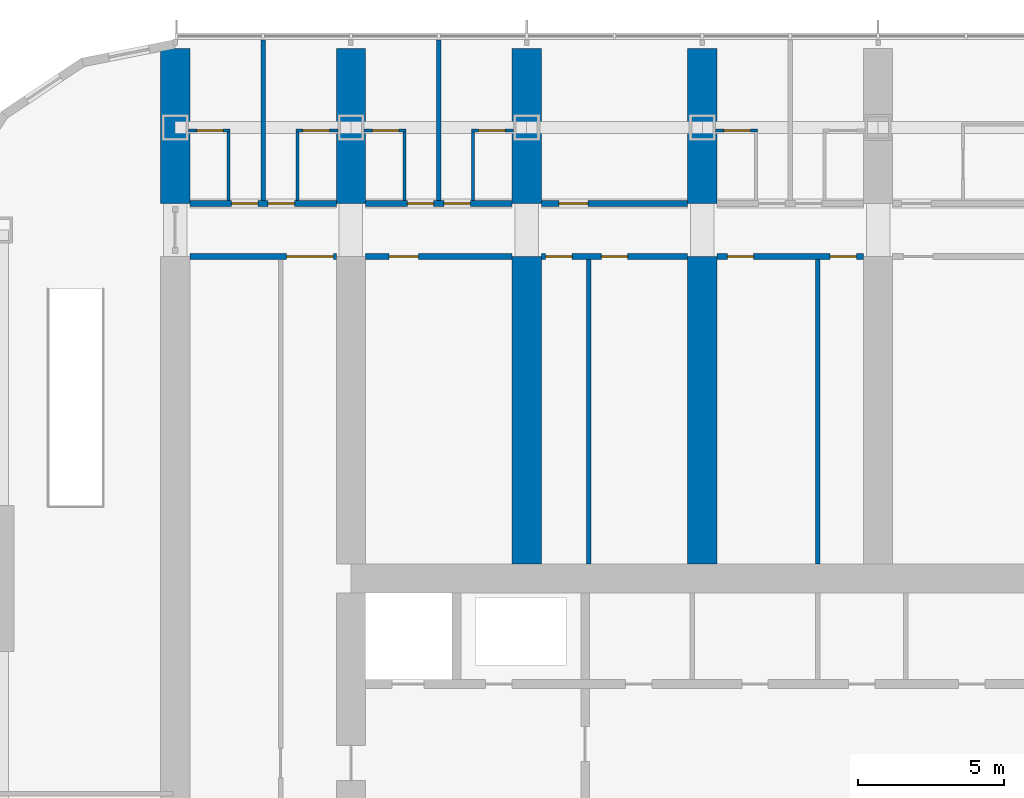
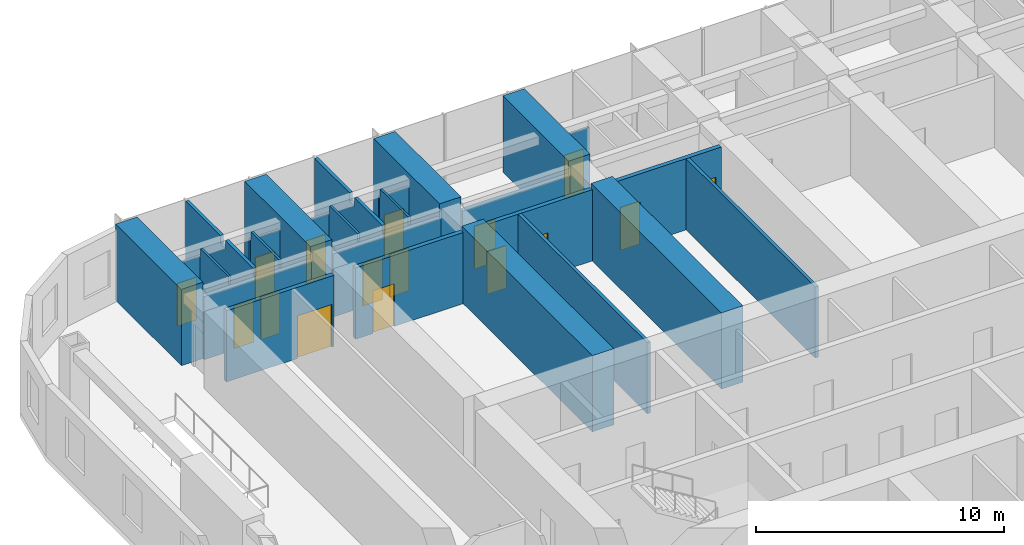
# One storey, part 15 of 24: 26 walls, 16 doors, 16 openings.
"""IFC4 building model written with IfcOpenShell, lengths in metres."""

from ifc_helpers import new_model, si_unit, direction, frame, frame_2d, origin, place, context, subcontext, project, spatial, polyline, rectangle, outline, extrude, material, layer, layer_set, type_object, element, fill, save


model = new_model("IFC4")

# Units and contexts
model_context = context("Model", 3, precision=1e-05, world=origin(), true_north=direction((0.0, 1.0)))
body_context = subcontext(model_context, "Body", "Model", "MODEL_VIEW")
ifc_project = project(units=[si_unit("LENGTHUNIT", "METRE"), si_unit("AREAUNIT", "SQUARE_METRE"), si_unit("VOLUMEUNIT", "CUBIC_METRE"), si_unit("PLANEANGLEUNIT", "RADIAN"), si_unit("MASSUNIT", "GRAM", prefix="KILO")], contexts=[model_context])

# Site, building, storey
site_placement = place(None, origin())
site = spatial("IfcSite", under=ifc_project, at=site_placement, CompositionType="ELEMENT")
building_placement = place(site_placement, origin())
building = spatial("IfcBuilding", under=site, at=building_placement, Name="Orbita Commons", CompositionType="ELEMENT")
storey_placement = place(building_placement, frame((0.0, 0.0, 27.699951171875)))
storey = spatial("IfcBuildingStorey", under=building, at=storey_placement, Name="L06", CompositionType="ELEMENT", Elevation=27.699951171875)

# Wall, openings, doors
ifc_material_1 = material(Name="Concrete blockwork", Category="masonry")
ifc_layer_1 = layer(ifc_material_1, 0.199951171875)
ifc_layer_set_1 = layer_set([ifc_layer_1], Name="Concrete blockwork")
wall_type_1 = type_object("IfcWallType", Name="Corridor wall 200 blockwork", PredefinedType="SOLIDWALL", material=ifc_layer_set_1)
wall_1_placement = place(storey_placement, frame((12.5, 51.0, 0.0), z_axis=(0.0, 0.0, 1.0), x_axis=(1.0, 0.0, 0.0)))
wall_1 = element("IfcWall", 1, at=wall_1_placement, inside=storey, type_object=wall_type_1, Name="Corridor wall 200 blockwork L06", PredefinedType="SOLIDWALL", context=body_context, shape_type="SweptSolid", body=[
    extrude(outline(polyline([(0.0, 0.0), (5.0, 0.0), (5.0, 3.10009765625), (0.0, 3.10009765625), (0.0, 0.0)])), frame((0.0, 0.10009765625, 0.0), z_axis=(0.0, -1.0, 0.0), x_axis=(1.0, 0.0, 0.0)), (0.0, 0.0, 1.0), 0.199951171875),
])
opening_1_placement = place(wall_1_placement, frame((1.425048828125, 0.0, 0.0)))
opening_1 = element("IfcOpeningElement", 2, at=opening_1_placement, cuts=wall_1, Name="Opening D11", PredefinedType="OPENING", context=body_context, shape_type="SweptSolid", body=[
    extrude(rectangle(XDim=0.89990234375, YDim=2.10009765625, at=frame_2d((0.449951171875, 1.050048828125))), frame((0.0, 0.10986328125, 0.0), z_axis=(0.0, -1.0, 0.0), x_axis=(1.0, 0.0, 0.0)), (0.0, 0.0, 1.0), 0.219970703125),
])
opening_2_placement = place(wall_1_placement, frame((2.675048828125, 0.0, 0.0)))
opening_2 = element("IfcOpeningElement", 3, at=opening_2_placement, cuts=wall_1, Name="Opening D11", PredefinedType="OPENING", context=body_context, shape_type="SweptSolid", body=[
    extrude(rectangle(XDim=0.89990234375, YDim=2.10009765625, at=frame_2d((0.449951171875, 1.050048828125))), frame((0.0, 0.10986328125, 0.0), z_axis=(0.0, -1.0, 0.0), x_axis=(1.0, 0.0, 0.0)), (0.0, 0.0, 1.0), 0.219970703125),
])
ifc_material_2 = material(Name="Steel-faced fire door leaf", Category="steel")
door_type_1 = type_object("IfcDoorType", Name="Corridor door 20 min 900x2100", OperationType="SINGLE_SWING_LEFT", PredefinedType="DOOR", material=ifc_material_2)
door_1_placement = place(opening_1_placement, origin())
door_1 = element("IfcDoor", 4, at=door_1_placement, inside=storey, type_object=door_type_1, Name="House bedroom L06-N00 door", OperationType="SINGLE_SWING_LEFT", OverallHeight=2.10009765625, OverallWidth=0.89990234375, PredefinedType="DOOR", context=body_context, shape_type="SweptSolid", body=[
    extrude(rectangle(XDim=0.89990234375, YDim=2.10009765625, at=frame_2d((0.449951171875, 1.050048828125))), frame((0.0, 0.02490234375, 0.0), z_axis=(0.0, -1.0, 0.0), x_axis=(1.0, 0.0, 0.0)), (0.0, 0.0, 1.0), 0.050048828125),
])
fill(opening_1, door_1)
door_2_placement = place(opening_2_placement, origin())
door_2 = element("IfcDoor", 5, at=door_2_placement, inside=storey, type_object=door_type_1, Name="House bedroom L06-N01 door", OperationType="SINGLE_SWING_LEFT", OverallHeight=2.10009765625, OverallWidth=0.89990234375, PredefinedType="DOOR", context=body_context, shape_type="SweptSolid", body=[
    extrude(rectangle(XDim=0.89990234375, YDim=2.10009765625, at=frame_2d((0.449951171875, 1.050048828125))), frame((0.0, 0.02490234375, 0.0), z_axis=(0.0, -1.0, 0.0), x_axis=(1.0, 0.0, 0.0)), (0.0, 0.0, 1.0), 0.050048828125),
])
fill(opening_2, door_2)

wall_2_placement = place(storey_placement, frame((18.5, 51.0, 0.0), z_axis=(0.0, 0.0, 1.0), x_axis=(1.0, 0.0, 0.0)))
wall_2 = element("IfcWall", 6, at=wall_2_placement, inside=storey, type_object=wall_type_1, Name="Corridor wall 200 blockwork L06", PredefinedType="SOLIDWALL", context=body_context, shape_type="SweptSolid", body=[
    extrude(outline(polyline([(0.0, 0.0), (5.0, 0.0), (5.0, 3.10009765625), (0.0, 3.10009765625), (0.0, 0.0)])), frame((0.0, 0.10009765625, 0.0), z_axis=(0.0, -1.0, 0.0), x_axis=(1.0, 0.0, 0.0)), (0.0, 0.0, 1.0), 0.199951171875),
])
opening_3_placement = place(wall_2_placement, frame((1.425048828125, 0.0, 0.0)))
opening_3 = element("IfcOpeningElement", 7, at=opening_3_placement, cuts=wall_2, Name="Opening D11", PredefinedType="OPENING", context=body_context, shape_type="SweptSolid", body=[
    extrude(rectangle(XDim=0.89990234375, YDim=2.10009765625, at=frame_2d((0.449951171875, 1.050048828125))), frame((0.0, 0.10986328125, 0.0), z_axis=(0.0, -1.0, 0.0), x_axis=(1.0, 0.0, 0.0)), (0.0, 0.0, 1.0), 0.219970703125),
])
opening_4_placement = place(wall_2_placement, frame((2.675048828125, 0.0, 0.0)))
opening_4 = element("IfcOpeningElement", 8, at=opening_4_placement, cuts=wall_2, Name="Opening D11", PredefinedType="OPENING", context=body_context, shape_type="SweptSolid", body=[
    extrude(rectangle(XDim=0.89990234375, YDim=2.10009765625, at=frame_2d((0.449951171875, 1.050048828125))), frame((0.0, 0.10986328125, 0.0), z_axis=(0.0, -1.0, 0.0), x_axis=(1.0, 0.0, 0.0)), (0.0, 0.0, 1.0), 0.219970703125),
])
door_3_placement = place(opening_3_placement, origin())
door_3 = element("IfcDoor", 9, at=door_3_placement, inside=storey, type_object=door_type_1, Name="House bedroom L06-N02 door", OperationType="SINGLE_SWING_LEFT", OverallHeight=2.10009765625, OverallWidth=0.89990234375, PredefinedType="DOOR", context=body_context, shape_type="SweptSolid", body=[
    extrude(rectangle(XDim=0.89990234375, YDim=2.10009765625, at=frame_2d((0.449951171875, 1.050048828125))), frame((0.0, 0.02490234375, 0.0), z_axis=(0.0, -1.0, 0.0), x_axis=(1.0, 0.0, 0.0)), (0.0, 0.0, 1.0), 0.050048828125),
])
fill(opening_3, door_3)
door_4_placement = place(opening_4_placement, origin())
door_4 = element("IfcDoor", 10, at=door_4_placement, inside=storey, type_object=door_type_1, Name="House bedroom L06-N03 door", OperationType="SINGLE_SWING_LEFT", OverallHeight=2.10009765625, OverallWidth=0.89990234375, PredefinedType="DOOR", context=body_context, shape_type="SweptSolid", body=[
    extrude(rectangle(XDim=0.89990234375, YDim=2.10009765625, at=frame_2d((0.449951171875, 1.050048828125))), frame((0.0, 0.02490234375, 0.0), z_axis=(0.0, -1.0, 0.0), x_axis=(1.0, 0.0, 0.0)), (0.0, 0.0, 1.0), 0.050048828125),
])
fill(opening_4, door_4)

# Wall, opening, door
wall_3_placement = place(storey_placement, frame((24.5, 51.0, 0.0), z_axis=(0.0, 0.0, 1.0), x_axis=(1.0, 0.0, 0.0)))
wall_3 = element("IfcWall", 11, at=wall_3_placement, inside=storey, type_object=wall_type_1, Name="Corridor wall 200 blockwork L06", PredefinedType="SOLIDWALL", context=body_context, shape_type="SweptSolid", body=[
    extrude(outline(polyline([(0.0, 0.0), (5.0, 0.0), (5.0, 3.10009765625), (0.0, 3.10009765625), (0.0, 0.0)])), frame((0.0, 0.10009765625, 0.0), z_axis=(0.0, -1.0, 0.0), x_axis=(1.0, 0.0, 0.0)), (0.0, 0.0, 1.0), 0.199951171875),
])
opening_5_placement = place(wall_3_placement, frame((0.60009765625, 0.0, 0.0)))
opening_5 = element("IfcOpeningElement", 12, at=opening_5_placement, cuts=wall_3, Name="Opening D06", PredefinedType="OPENING", context=body_context, shape_type="SweptSolid", body=[
    extrude(rectangle(XDim=1.0, YDim=2.10009765625, at=frame_2d((0.5, 1.050048828125))), frame((0.0, 0.10986328125, 0.0), z_axis=(0.0, -1.0, 0.0), x_axis=(1.0, 0.0, 0.0)), (0.0, 0.0, 1.0), 0.219970703125),
])
ifc_material_3 = material(Name="Steel-faced fire door leaf", Category="steel")
door_type_2 = type_object("IfcDoorType", Name="Corridor door 20 min 1000x2100", OperationType="SINGLE_SWING_LEFT", PredefinedType="DOOR", material=ifc_material_3)
door_5_placement = place(opening_5_placement, origin())
door_5 = element("IfcDoor", 13, at=door_5_placement, inside=storey, type_object=door_type_2, Name="House study room L06-N04 door", OperationType="SINGLE_SWING_LEFT", OverallHeight=2.10009765625, OverallWidth=1.0, PredefinedType="DOOR", context=body_context, shape_type="SweptSolid", body=[
    extrude(rectangle(XDim=1.0, YDim=2.10009765625, at=frame_2d((0.5, 1.050048828125))), frame((0.0, 0.02490234375, 0.0), z_axis=(0.0, -1.0, 0.0), x_axis=(1.0, 0.0, 0.0)), (0.0, 0.0, 1.0), 0.050048828125),
])
fill(opening_5, door_5)

ifc_material_4 = material(Name="Hollow concrete block 200", Category="concrete")
ifc_layer_2 = layer(ifc_material_4, 0.199951171875)
ifc_layer_set_2 = layer_set([ifc_layer_2], Name="Hollow concrete block 200")
wall_type_2 = type_object("IfcWallType", Name="Corridor wall 200 hollow concrete block", PredefinedType="SOLIDWALL", material=ifc_layer_set_2)
wall_4_placement = place(storey_placement, frame((12.5, 49.199951171875, 0.0), z_axis=(0.0, 0.0, 1.0), x_axis=(1.0, 0.0, 0.0)))
wall_4 = element("IfcWall", 14, at=wall_4_placement, inside=storey, type_object=wall_type_2, Name="Corridor wall 200 hollow concrete block L06", PredefinedType="SOLIDWALL", context=body_context, shape_type="SweptSolid", body=[
    extrude(rectangle(XDim=5.0, YDim=0.199951171875, at=frame_2d((2.5, 0.0))), origin(), (0.0, 0.0, 1.0), 3.5),
])
opening_6_placement = place(wall_4_placement, frame((3.300048828125, 0.0, 0.0)))
opening_6 = element("IfcOpeningElement", 15, at=opening_6_placement, cuts=wall_4, Name="Opening D10", PredefinedType="OPENING", context=body_context, shape_type="SweptSolid", body=[
    extrude(rectangle(XDim=1.60009765625, YDim=2.10009765625, at=frame_2d((0.800048828125, 1.050048828125))), frame((0.0, 0.10986328125, 0.0), z_axis=(0.0, -1.0, 0.0), x_axis=(1.0, 0.0, 0.0)), (0.0, 0.0, 1.0), 0.219970703125),
])
ifc_material_5 = material(Name="Steel-faced fire door leaf", Category="steel")
door_type_3 = type_object("IfcDoorType", Name="Double corridor door 20 min 1600x2100", OperationType="DOUBLE_DOOR_SINGLE_SWING", PredefinedType="DOOR", material=ifc_material_5)
door_6_placement = place(opening_6_placement, origin())
door_6 = element("IfcDoor", 16, at=door_6_placement, inside=storey, type_object=door_type_3, Name="Cross corridor doors", OperationType="DOUBLE_DOOR_SINGLE_SWING", OverallHeight=2.10009765625, OverallWidth=1.60009765625, PredefinedType="DOOR", context=body_context, shape_type="SweptSolid", body=[
    extrude(rectangle(XDim=1.60009765625, YDim=2.10009765625, at=frame_2d((0.800048828125, 1.050048828125))), frame((0.0, 0.02490234375, 0.0), z_axis=(0.0, -1.0, 0.0), x_axis=(1.0, 0.0, 0.0)), (0.0, 0.0, 1.0), 0.050048828125),
])
fill(opening_6, door_6)

wall_5_placement = place(storey_placement, frame((18.5, 49.199951171875, 0.0), z_axis=(0.0, 0.0, 1.0), x_axis=(1.0, 0.0, 0.0)))
wall_5 = element("IfcWall", 17, at=wall_5_placement, inside=storey, type_object=wall_type_2, Name="Corridor wall 200 hollow concrete block L06", PredefinedType="SOLIDWALL", context=body_context, shape_type="SweptSolid", body=[
    extrude(rectangle(XDim=5.0, YDim=0.199951171875, at=frame_2d((2.5, 0.0))), origin(), (0.0, 0.0, 1.0), 3.5),
])
opening_7_placement = place(wall_5_placement, frame((0.800048828125, 0.0, 0.0)))
opening_7 = element("IfcOpeningElement", 18, at=opening_7_placement, cuts=wall_5, Name="Opening D06", PredefinedType="OPENING", context=body_context, shape_type="SweptSolid", body=[
    extrude(rectangle(XDim=1.0, YDim=2.10009765625, at=frame_2d((0.5, 1.050048828125))), frame((0.0, 0.10986328125, 0.0), z_axis=(0.0, -1.0, 0.0), x_axis=(1.0, 0.0, 0.0)), (0.0, 0.0, 1.0), 0.219970703125),
])
door_7_placement = place(opening_7_placement, origin())
door_7 = element("IfcDoor", 19, at=door_7_placement, inside=storey, type_object=door_type_2, Name="Ventilation plant room south L06-BDN18 door", OperationType="SINGLE_SWING_LEFT", OverallHeight=2.10009765625, OverallWidth=1.0, PredefinedType="DOOR", context=body_context, shape_type="SweptSolid", body=[
    extrude(rectangle(XDim=1.0, YDim=2.10009765625, at=frame_2d((0.5, 1.050048828125))), frame((0.0, 0.02490234375, 0.0), z_axis=(0.0, -1.0, 0.0), x_axis=(1.0, 0.0, 0.0)), (0.0, 0.0, 1.0), 0.050048828125),
])
fill(opening_7, door_7)

# Wall, openings, doors
wall_6_placement = place(storey_placement, frame((24.5, 49.199951171875, 0.0), z_axis=(0.0, 0.0, 1.0), x_axis=(1.0, 0.0, 0.0)))
wall_6 = element("IfcWall", 20, at=wall_6_placement, inside=storey, type_object=wall_type_2, Name="Corridor wall 200 hollow concrete block L06", PredefinedType="SOLIDWALL", context=body_context, shape_type="SweptSolid", body=[
    extrude(rectangle(XDim=5.0, YDim=0.199951171875, at=frame_2d((2.5, 0.0))), origin(), (0.0, 0.0, 1.0), 3.5),
])
opening_8_placement = place(wall_6_placement, frame((0.14990234375, 0.0, 0.0)))
opening_8 = element("IfcOpeningElement", 21, at=opening_8_placement, cuts=wall_6, Name="Opening D11", PredefinedType="OPENING", context=body_context, shape_type="SweptSolid", body=[
    extrude(rectangle(XDim=0.89990234375, YDim=2.10009765625, at=frame_2d((0.449951171875, 1.050048828125))), frame((0.0, 0.10986328125, 0.0), z_axis=(0.0, -1.0, 0.0), x_axis=(1.0, 0.0, 0.0)), (0.0, 0.0, 1.0), 0.219970703125),
])
opening_9_placement = place(wall_6_placement, frame((2.050048828125, 0.0, 0.0)))
opening_9 = element("IfcOpeningElement", 22, at=opening_9_placement, cuts=wall_6, Name="Opening D11", PredefinedType="OPENING", context=body_context, shape_type="SweptSolid", body=[
    extrude(rectangle(XDim=0.89990234375, YDim=2.10009765625, at=frame_2d((0.449951171875, 1.050048828125))), frame((0.0, 0.10986328125, 0.0), z_axis=(0.0, -1.0, 0.0), x_axis=(1.0, 0.0, 0.0)), (0.0, 0.0, 1.0), 0.219970703125),
])
door_8_placement = place(opening_8_placement, origin())
door_8 = element("IfcDoor", 23, at=door_8_placement, inside=storey, type_object=door_type_1, Name="Water heater cupboard L06-BDN24n door", OperationType="SINGLE_SWING_LEFT", OverallHeight=2.10009765625, OverallWidth=0.89990234375, PredefinedType="DOOR", context=body_context, shape_type="SweptSolid", body=[
    extrude(rectangle(XDim=0.89990234375, YDim=2.10009765625, at=frame_2d((0.449951171875, 1.050048828125))), frame((0.0, 0.02490234375, 0.0), z_axis=(0.0, -1.0, 0.0), x_axis=(1.0, 0.0, 0.0)), (0.0, 0.0, 1.0), 0.050048828125),
])
fill(opening_8, door_8)
door_9_placement = place(opening_9_placement, origin())
door_9 = element("IfcDoor", 24, at=door_9_placement, inside=storey, type_object=door_type_1, Name="Cleaners store L06-BDN24 door", OperationType="SINGLE_SWING_LEFT", OverallHeight=2.10009765625, OverallWidth=0.89990234375, PredefinedType="DOOR", context=body_context, shape_type="SweptSolid", body=[
    extrude(rectangle(XDim=0.89990234375, YDim=2.10009765625, at=frame_2d((0.449951171875, 1.050048828125))), frame((0.0, 0.02490234375, 0.0), z_axis=(0.0, -1.0, 0.0), x_axis=(1.0, 0.0, 0.0)), (0.0, 0.0, 1.0), 0.050048828125),
])
fill(opening_9, door_9)

wall_7_placement = place(storey_placement, frame((30.5, 49.199951171875, 0.0), z_axis=(0.0, 0.0, 1.0), x_axis=(1.0, 0.0, 0.0)))
wall_7 = element("IfcWall", 25, at=wall_7_placement, inside=storey, type_object=wall_type_2, Name="Corridor wall 200 hollow concrete block L06", PredefinedType="SOLIDWALL", context=body_context, shape_type="SweptSolid", body=[
    extrude(rectangle(XDim=5.0, YDim=0.199951171875, at=frame_2d((2.5, 0.0))), origin(), (0.0, 0.0, 1.0), 3.5),
])
opening_10_placement = place(wall_7_placement, frame((0.35009765625, 0.0, 0.0)))
opening_10 = element("IfcOpeningElement", 26, at=opening_10_placement, cuts=wall_7, Name="Opening D11", PredefinedType="OPENING", context=body_context, shape_type="SweptSolid", body=[
    extrude(rectangle(XDim=0.89990234375, YDim=2.10009765625, at=frame_2d((0.449951171875, 1.050048828125))), frame((0.0, 0.10986328125, 0.0), z_axis=(0.0, -1.0, 0.0), x_axis=(1.0, 0.0, 0.0)), (0.0, 0.0, 1.0), 0.219970703125),
])
opening_11_placement = place(wall_7_placement, frame((3.860107421875, 0.0, 0.0)))
opening_11 = element("IfcOpeningElement", 27, at=opening_11_placement, cuts=wall_7, Name="Opening D11", PredefinedType="OPENING", context=body_context, shape_type="SweptSolid", body=[
    extrude(rectangle(XDim=0.89990234375, YDim=2.10009765625, at=frame_2d((0.449951171875, 1.050048828125))), frame((0.0, 0.10986328125, 0.0), z_axis=(0.0, -1.0, 0.0), x_axis=(1.0, 0.0, 0.0)), (0.0, 0.0, 1.0), 0.219970703125),
])
door_10_placement = place(opening_10_placement, origin())
door_10 = element("IfcDoor", 28, at=door_10_placement, inside=storey, type_object=door_type_1, Name="IT and print room L06-BDN30 door", OperationType="SINGLE_SWING_LEFT", OverallHeight=2.10009765625, OverallWidth=0.89990234375, PredefinedType="DOOR", context=body_context, shape_type="SweptSolid", body=[
    extrude(rectangle(XDim=0.89990234375, YDim=2.10009765625, at=frame_2d((0.449951171875, 1.050048828125))), frame((0.0, 0.02490234375, 0.0), z_axis=(0.0, -1.0, 0.0), x_axis=(1.0, 0.0, 0.0)), (0.0, 0.0, 1.0), 0.050048828125),
])
fill(opening_10, door_10)
door_11_placement = place(opening_11_placement, origin())
door_11 = element("IfcDoor", 29, at=door_11_placement, inside=storey, type_object=door_type_1, Name="Equipment store L06-BDN30n door", OperationType="SINGLE_SWING_LEFT", OverallHeight=2.10009765625, OverallWidth=0.89990234375, PredefinedType="DOOR", context=body_context, shape_type="SweptSolid", body=[
    extrude(rectangle(XDim=0.89990234375, YDim=2.10009765625, at=frame_2d((0.449951171875, 1.050048828125))), frame((0.0, 0.02490234375, 0.0), z_axis=(0.0, -1.0, 0.0), x_axis=(1.0, 0.0, 0.0)), (0.0, 0.0, 1.0), 0.050048828125),
])
fill(opening_11, door_11)

# Walls
ifc_material_6 = material(Name="Concrete C50/60", Category="concrete")
ifc_layer_3 = layer(ifc_material_6, 1.0)
ifc_layer_set_3 = layer_set([ifc_layer_3], Name="Concrete C50/60")
wall_type_3 = type_object("IfcWallType", Name="Cross wall 1000 C50/60", PredefinedType="SHEAR", material=ifc_layer_set_3)
for number, where, z_axis, x_axis, name in (
    (30, (12.0, 51.0, 0.0), (0.0, 0.0, 1.0), (0.0, 1.0, 0.0), "Cross wall 3 north outer L06"),
    (31, (18.0, 51.0, 0.0), (0.0, 0.0, 1.0), (0.0, 1.0, 0.0), "Cross wall 4 north outer L06"),
    (32, (24.0, 51.0, 0.0), (0.0, 0.0, 1.0), (0.0, 1.0, 0.0), "Cross wall 5 north outer L06"),
):
    element("IfcWall", number, at=place(storey_placement, frame(where, z_axis=z_axis, x_axis=x_axis)), inside=storey, type_object=wall_type_3, Name=name, PredefinedType="SHEAR", context=body_context, shape_type="SweptSolid", body=[
        extrude(rectangle(XDim=5.300048828125, YDim=1.0, at=frame_2d((2.64990234375, 0.0))), origin(), (0.0, 0.0, 1.0), 3.75),
    ])
wall_8_placement = place(storey_placement, frame((24.0, 38.699951171875, 0.0), z_axis=(0.0, 0.0, 1.0), x_axis=(0.0, 1.0, 0.0)))
element("IfcWall", 33, at=wall_8_placement, inside=storey, type_object=wall_type_3, Name="Cross wall 5 north inner L06", PredefinedType="SHEAR", context=body_context, shape_type="SweptSolid", body=[
    extrude(rectangle(XDim=10.5, YDim=1.0, at=frame_2d((5.25, 0.0))), origin(), (0.0, 0.0, 1.0), 3.75),
])
wall_9_placement = place(storey_placement, frame((30.0, 51.0, 0.0), z_axis=(0.0, 0.0, 1.0), x_axis=(0.0, 1.0, 0.0)))
element("IfcWall", 34, at=wall_9_placement, inside=storey, type_object=wall_type_3, Name="Cross wall 6 north outer L06", PredefinedType="SHEAR", context=body_context, shape_type="SweptSolid", body=[
    extrude(rectangle(XDim=5.300048828125, YDim=1.0, at=frame_2d((2.64990234375, 0.0))), origin(), (0.0, 0.0, 1.0), 3.75),
])
wall_10_placement = place(storey_placement, frame((30.0, 38.699951171875, 0.0), z_axis=(0.0, 0.0, 1.0), x_axis=(0.0, 1.0, 0.0)))
element("IfcWall", 35, at=wall_10_placement, inside=storey, type_object=wall_type_3, Name="Cross wall 6 north inner L06", PredefinedType="SHEAR", context=body_context, shape_type="SweptSolid", body=[
    extrude(rectangle(XDim=10.5, YDim=1.0, at=frame_2d((5.25, 0.0))), origin(), (0.0, 0.0, 1.0), 3.75),
])

# Wall, opening, door
ifc_material_7 = material(Name="Moisture-resistant plasterboard on steel studs", Category="steel")
ifc_layer_4 = layer(ifc_material_7, 0.10009765625)
ifc_layer_set_4 = layer_set([ifc_layer_4], Name="Moisture-resistant plasterboard on steel studs")
wall_type_4 = type_object("IfcWallType", Name="En-suite partition 100", PredefinedType="PARTITIONING", material=ifc_layer_set_4)
wall_11_placement = place(storey_placement, frame((12.449951171875, 53.5, 0.0), z_axis=(0.0, 0.0, 1.0), x_axis=(1.0, 0.0, 0.0)))
wall_11 = element("IfcWall", 36, at=wall_11_placement, inside=storey, type_object=wall_type_4, Name="En-suite partition 100 L06", PredefinedType="PARTITIONING", context=body_context, shape_type="SweptSolid", body=[
    extrude(outline(polyline([(0.0, 0.0), (1.425048828125, 0.0), (1.425048828125, 3.10009765625), (0.0, 3.10009765625), (0.0, 0.0)])), frame((0.0, 0.050048828125, 0.0), z_axis=(0.0, -1.0, 0.0), x_axis=(1.0, 0.0, 0.0)), (0.0, 0.0, 1.0), 0.10009765625),
])
opening_12_placement = place(wall_11_placement, frame((0.28759765625, 0.0, 0.0)))
opening_12 = element("IfcOpeningElement", 37, at=opening_12_placement, cuts=wall_11, Name="Opening D09", PredefinedType="OPENING", context=body_context, shape_type="SweptSolid", body=[
    extrude(rectangle(XDim=0.89990234375, YDim=2.10009765625, at=frame_2d((0.449951171875, 1.050048828125))), frame((0.0, 0.06005859375, 0.0), z_axis=(0.0, -1.0, 0.0), x_axis=(1.0, 0.0, 0.0)), (0.0, 0.0, 1.0), 0.1201171875),
])
ifc_material_8 = material(Name="Laminated timber door leaf", Category="wood")
door_type_4 = type_object("IfcDoorType", Name="En-suite door 900x2100", OperationType="SINGLE_SWING_RIGHT", PredefinedType="DOOR", material=ifc_material_8)
door_12_placement = place(opening_12_placement, origin())
door_12 = element("IfcDoor", 38, at=door_12_placement, inside=storey, type_object=door_type_4, Name="En-suite L06-N00 door", OperationType="SINGLE_SWING_RIGHT", OverallHeight=2.10009765625, OverallWidth=0.89990234375, PredefinedType="DOOR", context=body_context, shape_type="SweptSolid", body=[
    extrude(rectangle(XDim=0.89990234375, YDim=2.10009765625, at=frame_2d((0.449951171875, 1.050048828125))), frame((0.0, 0.02490234375, 0.0), z_axis=(0.0, -1.0, 0.0), x_axis=(1.0, 0.0, 0.0)), (0.0, 0.0, 1.0), 0.050048828125),
])
fill(opening_12, door_12)

# Wall
wall_12_placement = place(storey_placement, frame((13.824951171875, 53.449951171875, 0.0), z_axis=(0.0, 0.0, 1.0), x_axis=(0.0, -1.0, 0.0)))
element("IfcWall", 39, at=wall_12_placement, inside=storey, type_object=wall_type_4, Name="En-suite partition 100 L06", PredefinedType="PARTITIONING", context=body_context, shape_type="SweptSolid", body=[
    extrude(outline(polyline([(0.0, 0.0), (2.349853515625, 0.0), (2.35009765625, 3.10009765625), (2.302001953125, 3.10009765625), (2.300048828125, 3.5), (0.052001953125, 3.5), (0.050048828125, 3.10009765625), (0.0, 3.10009765625), (0.0, 0.0)])), frame((0.0, 0.050048828125, 0.0), z_axis=(0.0, -1.0, 0.0), x_axis=(1.0, 0.0, 0.0)), (0.0, 0.0, 1.0), 0.10009765625),
])

# Wall, opening, door
wall_13_placement = place(storey_placement, frame((16.125, 53.5, 0.0), z_axis=(0.0, 0.0, 1.0), x_axis=(1.0, 0.0, 0.0)))
wall_13 = element("IfcWall", 40, at=wall_13_placement, inside=storey, type_object=wall_type_4, Name="En-suite partition 100 L06", PredefinedType="PARTITIONING", context=body_context, shape_type="SweptSolid", body=[
    extrude(outline(polyline([(0.0, 0.0), (1.425048828125, 0.0), (1.425048828125, 3.10009765625), (0.0, 3.10009765625), (0.0, 0.0)])), frame((0.0, 0.050048828125, 0.0), z_axis=(0.0, -1.0, 0.0), x_axis=(1.0, 0.0, 0.0)), (0.0, 0.0, 1.0), 0.10009765625),
])
opening_13_placement = place(wall_13_placement, frame((0.237548828125, 0.0, 0.0)))
opening_13 = element("IfcOpeningElement", 41, at=opening_13_placement, cuts=wall_13, Name="Opening D09", PredefinedType="OPENING", context=body_context, shape_type="SweptSolid", body=[
    extrude(rectangle(XDim=0.89990234375, YDim=2.10009765625, at=frame_2d((0.449951171875, 1.050048828125))), frame((0.0, 0.06005859375, 0.0), z_axis=(0.0, -1.0, 0.0), x_axis=(1.0, 0.0, 0.0)), (0.0, 0.0, 1.0), 0.1201171875),
])
door_13_placement = place(opening_13_placement, origin())
door_13 = element("IfcDoor", 42, at=door_13_placement, inside=storey, type_object=door_type_4, Name="En-suite L06-N01 door", OperationType="SINGLE_SWING_RIGHT", OverallHeight=2.10009765625, OverallWidth=0.89990234375, PredefinedType="DOOR", context=body_context, shape_type="SweptSolid", body=[
    extrude(rectangle(XDim=0.89990234375, YDim=2.10009765625, at=frame_2d((0.449951171875, 1.050048828125))), frame((0.0, 0.02490234375, 0.0), z_axis=(0.0, -1.0, 0.0), x_axis=(1.0, 0.0, 0.0)), (0.0, 0.0, 1.0), 0.050048828125),
])
fill(opening_13, door_13)

# Wall
wall_14_placement = place(storey_placement, frame((16.175048828125, 53.449951171875, 0.0), z_axis=(0.0, 0.0, 1.0), x_axis=(0.0, -1.0, 0.0)))
element("IfcWall", 43, at=wall_14_placement, inside=storey, type_object=wall_type_4, Name="En-suite partition 100 L06", PredefinedType="PARTITIONING", context=body_context, shape_type="SweptSolid", body=[
    extrude(outline(polyline([(0.0, 0.0), (2.349853515625, 0.0), (2.35009765625, 3.10009765625), (2.302001953125, 3.10009765625), (2.300048828125, 3.5), (0.052001953125, 3.5), (0.050048828125, 3.10009765625), (0.0, 3.10009765625), (0.0, 0.0)])), frame((0.0, 0.050048828125, 0.0), z_axis=(0.0, -1.0, 0.0), x_axis=(1.0, 0.0, 0.0)), (0.0, 0.0, 1.0), 0.10009765625),
])

# Wall, opening, door
wall_15_placement = place(storey_placement, frame((18.449951171875, 53.5, 0.0), z_axis=(0.0, 0.0, 1.0), x_axis=(1.0, 0.0, 0.0)))
wall_15 = element("IfcWall", 44, at=wall_15_placement, inside=storey, type_object=wall_type_4, Name="En-suite partition 100 L06", PredefinedType="PARTITIONING", context=body_context, shape_type="SweptSolid", body=[
    extrude(outline(polyline([(0.0, 0.0), (1.425048828125, 0.0), (1.425048828125, 3.10009765625), (0.0, 3.10009765625), (0.0, 0.0)])), frame((0.0, 0.050048828125, 0.0), z_axis=(0.0, -1.0, 0.0), x_axis=(1.0, 0.0, 0.0)), (0.0, 0.0, 1.0), 0.10009765625),
])
opening_14_placement = place(wall_15_placement, frame((0.28759765625, 0.0, 0.0)))
opening_14 = element("IfcOpeningElement", 45, at=opening_14_placement, cuts=wall_15, Name="Opening D09", PredefinedType="OPENING", context=body_context, shape_type="SweptSolid", body=[
    extrude(rectangle(XDim=0.89990234375, YDim=2.10009765625, at=frame_2d((0.449951171875, 1.050048828125))), frame((0.0, 0.06005859375, 0.0), z_axis=(0.0, -1.0, 0.0), x_axis=(1.0, 0.0, 0.0)), (0.0, 0.0, 1.0), 0.1201171875),
])
door_14_placement = place(opening_14_placement, origin())
door_14 = element("IfcDoor", 46, at=door_14_placement, inside=storey, type_object=door_type_4, Name="En-suite L06-N02 door", OperationType="SINGLE_SWING_RIGHT", OverallHeight=2.10009765625, OverallWidth=0.89990234375, PredefinedType="DOOR", context=body_context, shape_type="SweptSolid", body=[
    extrude(rectangle(XDim=0.89990234375, YDim=2.10009765625, at=frame_2d((0.449951171875, 1.050048828125))), frame((0.0, 0.02490234375, 0.0), z_axis=(0.0, -1.0, 0.0), x_axis=(1.0, 0.0, 0.0)), (0.0, 0.0, 1.0), 0.050048828125),
])
fill(opening_14, door_14)

# Wall
wall_16_placement = place(storey_placement, frame((19.824951171875, 53.449951171875, 0.0), z_axis=(0.0, 0.0, 1.0), x_axis=(0.0, -1.0, 0.0)))
element("IfcWall", 47, at=wall_16_placement, inside=storey, type_object=wall_type_4, Name="En-suite partition 100 L06", PredefinedType="PARTITIONING", context=body_context, shape_type="SweptSolid", body=[
    extrude(outline(polyline([(0.0, 0.0), (2.349853515625, 0.0), (2.35009765625, 3.10009765625), (2.302001953125, 3.10009765625), (2.300048828125, 3.5), (0.052001953125, 3.5), (0.050048828125, 3.10009765625), (0.0, 3.10009765625), (0.0, 0.0)])), frame((0.0, 0.050048828125, 0.0), z_axis=(0.0, -1.0, 0.0), x_axis=(1.0, 0.0, 0.0)), (0.0, 0.0, 1.0), 0.10009765625),
])

# Wall, opening, door
wall_17_placement = place(storey_placement, frame((22.125, 53.5, 0.0), z_axis=(0.0, 0.0, 1.0), x_axis=(1.0, 0.0, 0.0)))
wall_17 = element("IfcWall", 48, at=wall_17_placement, inside=storey, type_object=wall_type_4, Name="En-suite partition 100 L06", PredefinedType="PARTITIONING", context=body_context, shape_type="SweptSolid", body=[
    extrude(outline(polyline([(0.0, 0.0), (1.425048828125, 0.0), (1.425048828125, 3.10009765625), (0.0, 3.10009765625), (0.0, 0.0)])), frame((0.0, 0.050048828125, 0.0), z_axis=(0.0, -1.0, 0.0), x_axis=(1.0, 0.0, 0.0)), (0.0, 0.0, 1.0), 0.10009765625),
])
opening_15_placement = place(wall_17_placement, frame((0.237548828125, 0.0, 0.0)))
opening_15 = element("IfcOpeningElement", 49, at=opening_15_placement, cuts=wall_17, Name="Opening D09", PredefinedType="OPENING", context=body_context, shape_type="SweptSolid", body=[
    extrude(rectangle(XDim=0.89990234375, YDim=2.10009765625, at=frame_2d((0.449951171875, 1.050048828125))), frame((0.0, 0.06005859375, 0.0), z_axis=(0.0, -1.0, 0.0), x_axis=(1.0, 0.0, 0.0)), (0.0, 0.0, 1.0), 0.1201171875),
])
door_15_placement = place(opening_15_placement, origin())
door_15 = element("IfcDoor", 50, at=door_15_placement, inside=storey, type_object=door_type_4, Name="En-suite L06-N03 door", OperationType="SINGLE_SWING_RIGHT", OverallHeight=2.10009765625, OverallWidth=0.89990234375, PredefinedType="DOOR", context=body_context, shape_type="SweptSolid", body=[
    extrude(rectangle(XDim=0.89990234375, YDim=2.10009765625, at=frame_2d((0.449951171875, 1.050048828125))), frame((0.0, 0.02490234375, 0.0), z_axis=(0.0, -1.0, 0.0), x_axis=(1.0, 0.0, 0.0)), (0.0, 0.0, 1.0), 0.050048828125),
])
fill(opening_15, door_15)

# Wall
wall_18_placement = place(storey_placement, frame((22.175048828125, 53.449951171875, 0.0), z_axis=(0.0, 0.0, 1.0), x_axis=(0.0, -1.0, 0.0)))
element("IfcWall", 51, at=wall_18_placement, inside=storey, type_object=wall_type_4, Name="En-suite partition 100 L06", PredefinedType="PARTITIONING", context=body_context, shape_type="SweptSolid", body=[
    extrude(outline(polyline([(0.0, 0.0), (2.349853515625, 0.0), (2.35009765625, 3.10009765625), (2.302001953125, 3.10009765625), (2.300048828125, 3.5), (0.052001953125, 3.5), (0.050048828125, 3.10009765625), (0.0, 3.10009765625), (0.0, 0.0)])), frame((0.0, 0.050048828125, 0.0), z_axis=(0.0, -1.0, 0.0), x_axis=(1.0, 0.0, 0.0)), (0.0, 0.0, 1.0), 0.10009765625),
])

# Wall, opening, door
wall_19_placement = place(storey_placement, frame((30.449951171875, 53.5, 0.0), z_axis=(0.0, 0.0, 1.0), x_axis=(1.0, 0.0, 0.0)))
wall_19 = element("IfcWall", 52, at=wall_19_placement, inside=storey, type_object=wall_type_4, Name="En-suite partition 100 L06", PredefinedType="PARTITIONING", context=body_context, shape_type="SweptSolid", body=[
    extrude(outline(polyline([(0.0, 0.0), (1.425048828125, 0.0), (1.425048828125, 3.10009765625), (0.0, 3.10009765625), (0.0, 0.0)])), frame((0.0, 0.050048828125, 0.0), z_axis=(0.0, -1.0, 0.0), x_axis=(1.0, 0.0, 0.0)), (0.0, 0.0, 1.0), 0.10009765625),
])
opening_16_placement = place(wall_19_placement, frame((0.28759765625, 0.0, 0.0)))
opening_16 = element("IfcOpeningElement", 53, at=opening_16_placement, cuts=wall_19, Name="Opening D09", PredefinedType="OPENING", context=body_context, shape_type="SweptSolid", body=[
    extrude(rectangle(XDim=0.89990234375, YDim=2.10009765625, at=frame_2d((0.449951171875, 1.050048828125))), frame((0.0, 0.06005859375, 0.0), z_axis=(0.0, -1.0, 0.0), x_axis=(1.0, 0.0, 0.0)), (0.0, 0.0, 1.0), 0.1201171875),
])
door_16_placement = place(opening_16_placement, origin())
door_16 = element("IfcDoor", 54, at=door_16_placement, inside=storey, type_object=door_type_4, Name="En-suite L06-N06 door", OperationType="SINGLE_SWING_RIGHT", OverallHeight=2.10009765625, OverallWidth=0.89990234375, PredefinedType="DOOR", context=body_context, shape_type="SweptSolid", body=[
    extrude(rectangle(XDim=0.89990234375, YDim=2.10009765625, at=frame_2d((0.449951171875, 1.050048828125))), frame((0.0, 0.02490234375, 0.0), z_axis=(0.0, -1.0, 0.0), x_axis=(1.0, 0.0, 0.0)), (0.0, 0.0, 1.0), 0.050048828125),
])
fill(opening_16, door_16)

# Walls
ifc_material_9 = material(Name="Gypsum plasterboard on steel studs", Category="steel")
ifc_layer_5 = layer(ifc_material_9, 0.14990234375)
ifc_layer_set_5 = layer_set([ifc_layer_5], Name="Gypsum plasterboard on steel studs")
wall_type_5 = type_object("IfcWallType", Name="Partition 150 plasterboard", PredefinedType="PARTITIONING", material=ifc_layer_set_5)
for number, where, z_axis, x_axis, name in (
    (55, (26.125, 38.699951171875, 0.0), (0.0, 0.0, 1.0), (0.0, 1.0, 0.0), "Partition 150 plasterboard L06"),
    (56, (33.93505859375, 38.699951171875, 0.0), (0.0, 0.0, 1.0), (0.0, 1.0, 0.0), "Partition 150 plasterboard L06"),
):
    element("IfcWall", number, at=place(storey_placement, frame(where, z_axis=z_axis, x_axis=x_axis)), inside=storey, type_object=wall_type_5, Name=name, PredefinedType="PARTITIONING", context=body_context, shape_type="SweptSolid", body=[
        extrude(rectangle(XDim=10.400146484375, YDim=0.14990234375, at=frame_2d((5.2001953125, 0.0))), origin(), (0.0, 0.0, 1.0), 3.5),
    ])
ifc_material_10 = material(Name="Gypsum plasterboard on steel studs", Category="steel")
ifc_layer_6 = layer(ifc_material_10, 0.14990234375)
ifc_layer_set_6 = layer_set([ifc_layer_6], Name="Gypsum plasterboard on steel studs")
wall_type_6 = type_object("IfcWallType", Name="Party wall 150 plasterboard", PredefinedType="PARTITIONING", material=ifc_layer_set_6)
for number, where, z_axis, x_axis, name in (
    (57, (15.0, 56.590087890625, 0.0), (0.0, 0.0, 1.0), (0.0, -1.0, 0.0), "Party wall 150 plasterboard L06"),
    (58, (21.0, 56.590087890625, 0.0), (0.0, 0.0, 1.0), (0.0, -1.0, 0.0), "Party wall 150 plasterboard L06"),
):
    element("IfcWall", number, at=place(storey_placement, frame(where, z_axis=z_axis, x_axis=x_axis)), inside=storey, type_object=wall_type_6, Name=name, PredefinedType="PARTITIONING", context=body_context, shape_type="SweptSolid", body=[
        extrude(outline(polyline([(0.0, 0.0), (5.489990234375, 0.0), (5.489990234375, 3.10009765625), (5.44189453125, 3.10009765625), (5.43994140625, 3.5), (3.19189453125, 3.5), (3.18994140625, 3.10009765625), (2.7919921875, 3.10009765625), (2.7900390625, 3.5), (0.0, 3.5), (0.0, 0.0)])), frame((0.0, 0.074951171875, 0.0), z_axis=(0.0, -1.0, 0.0), x_axis=(1.0, 0.0, 0.0)), (0.0, 0.0, 1.0), 0.14990234375),
    ])

save(model, "model.ifc")
